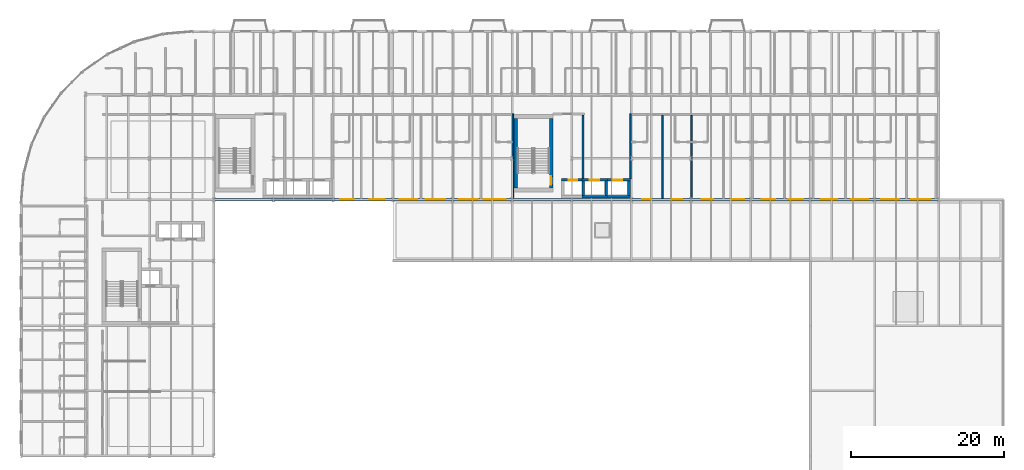
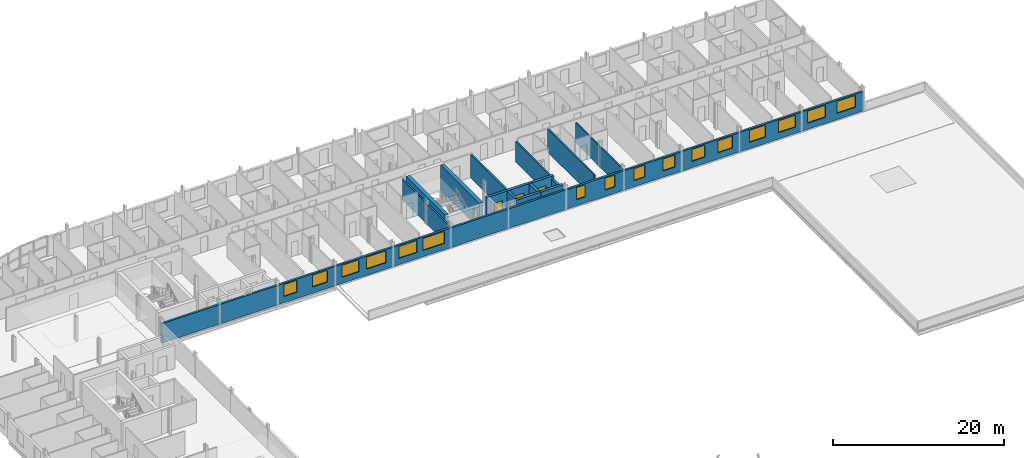
# One storey, part 25 of 36: 16 walls, 16 windows, 4 doors, 20 openings.
"""IFC4 building model written with IfcOpenShell, lengths in metres."""

from ifc_helpers import new_model, si_unit, direction, frame, frame_2d, origin, place, context, subcontext, project, spatial, rectangle, extrude, material, layer, layer_set, type_object, element, fill, save


model = new_model("IFC4")

# Units and contexts
model_context = context("Model", 3, precision=1e-05, world=origin(), true_north=direction((0.0, 1.0)))
body_context = subcontext(model_context, "Body", "Model", "MODEL_VIEW")
ifc_project = project(units=[si_unit("LENGTHUNIT", "METRE"), si_unit("AREAUNIT", "SQUARE_METRE"), si_unit("VOLUMEUNIT", "CUBIC_METRE"), si_unit("PLANEANGLEUNIT", "RADIAN"), si_unit("MASSUNIT", "GRAM", prefix="KILO")], contexts=[model_context])

# Site, building, storey
site_placement = place(None, origin())
site = spatial("IfcSite", under=ifc_project, at=site_placement, CompositionType="ELEMENT")
building_placement = place(site_placement, origin())
building = spatial("IfcBuilding", under=site, at=building_placement, Name="Sefraquen Railside Congress Hotel", CompositionType="ELEMENT")
storey_placement = place(building_placement, frame((0.0, 0.0, 24.60009765625)))
storey = spatial("IfcBuildingStorey", under=building, at=storey_placement, Name="L05", CompositionType="ELEMENT", Elevation=24.60009765625)

# Wall, opening, door
ifc_material_1 = material(Name="Concrete C50/60", Category="concrete")
ifc_layer_1 = layer(ifc_material_1, 0.35009765625)
ifc_layer_set_1 = layer_set([ifc_layer_1], Name="Concrete C50/60")
wall_type_1 = type_object("IfcWallType", Name="TW-CW-350", PredefinedType="SHEAR", material=ifc_layer_set_1)
wall_1_placement = place(storey_placement, frame((70.639892578125, 98.594970703125, 0.0), z_axis=(0.0, 0.0, 1.0), x_axis=(1.0, 0.0, 0.0)))
wall_1 = element("IfcWall", 1, at=wall_1_placement, inside=storey, type_object=wall_type_1, Name="Lift FL-03 shaft wall N L05", PredefinedType="SHEAR", context=body_context, shape_type="SweptSolid", body=[
    extrude(rectangle(XDim=2.690185546875, YDim=0.35009765625, at=frame_2d((1.34521484375, 0.0))), origin(), (0.0, 0.0, 1.0), 3.33984375),
])
opening_1_placement = place(wall_1_placement, frame((0.969970703125, 0.0, 0.0)))
opening_1 = element("IfcOpeningElement", 2, at=opening_1_placement, cuts=wall_1, Name="Opening LD-01", PredefinedType="OPENING", context=body_context, shape_type="SweptSolid", body=[
    extrude(rectangle(XDim=1.10009765625, YDim=2.199951171875, at=frame_2d((0.550048828125, 1.10009765625))), frame((0.0, 0.18505859375, 0.0), z_axis=(0.0, -1.0, 0.0), x_axis=(1.0, 0.0, 0.0)), (0.0, 0.0, 1.0), 0.3701171875),
])
ifc_material_2 = material(Name="Brushed bronze stainless steel", Category="steel")
door_type_1 = type_object("IfcDoorType", Name="TD-LD-01", OperationType="NOTDEFINED", PredefinedType="DOOR", material=ifc_material_2)
door_1_placement = place(opening_1_placement, origin())
door_1 = element("IfcDoor", 3, at=door_1_placement, inside=storey, type_object=door_type_1, Name="Lift landing door FL-03 L05", OperationType="SLIDING_TO_LEFT", OverallHeight=2.199951171875, OverallWidth=1.10009765625, PredefinedType="DOOR", context=body_context, shape_type="SweptSolid", body=[
    extrude(rectangle(XDim=1.10009765625, YDim=2.199951171875, at=frame_2d((0.550048828125, 1.10009765625))), frame((0.0, 0.02490234375, 0.0), z_axis=(0.0, -1.0, 0.0), x_axis=(1.0, 0.0, 0.0)), (0.0, 0.0, 1.0), 0.050048828125),
])
fill(opening_1, door_1)

wall_2_placement = place(storey_placement, frame((73.330078125, 98.594970703125, 0.0), z_axis=(0.0, 0.0, 1.0), x_axis=(1.0, 0.0, 0.0)))
wall_2 = element("IfcWall", 4, at=wall_2_placement, inside=storey, type_object=wall_type_1, Name="Lift PL-05 shaft wall N L05", PredefinedType="SHEAR", context=body_context, shape_type="SweptSolid", body=[
    extrude(rectangle(XDim=3.33984375, YDim=0.35009765625, at=frame_2d((1.669921875, 0.0))), origin(), (0.0, 0.0, 1.0), 3.33984375),
])
opening_2_placement = place(wall_2_placement, frame((1.044921875, 0.0, 0.0)))
opening_2 = element("IfcOpeningElement", 5, at=opening_2_placement, cuts=wall_2, Name="Opening LD-02", PredefinedType="OPENING", context=body_context, shape_type="SweptSolid", body=[
    extrude(rectangle(XDim=1.25, YDim=2.25, at=frame_2d((0.625, 1.125))), frame((0.0, 0.18505859375, 0.0), z_axis=(0.0, -1.0, 0.0), x_axis=(1.0, 0.0, 0.0)), (0.0, 0.0, 1.0), 0.3701171875),
])
ifc_material_3 = material(Name="Brushed stainless steel", Category="steel")
door_type_2 = type_object("IfcDoorType", Name="TD-LD-02", OperationType="NOTDEFINED", PredefinedType="DOOR", material=ifc_material_3)
door_2_placement = place(opening_2_placement, origin())
door_2 = element("IfcDoor", 6, at=door_2_placement, inside=storey, type_object=door_type_2, Name="Lift landing door PL-05 L05", OperationType="SLIDING_TO_LEFT", OverallHeight=2.25, OverallWidth=1.25, PredefinedType="DOOR", context=body_context, shape_type="SweptSolid", body=[
    extrude(rectangle(XDim=1.25, YDim=2.25, at=frame_2d((0.625, 1.125))), frame((0.0, 0.02490234375, 0.0), z_axis=(0.0, -1.0, 0.0), x_axis=(1.0, 0.0, 0.0)), (0.0, 0.0, 1.0), 0.050048828125),
])
fill(opening_2, door_2)

# Walls
wall_3_placement = place(storey_placement, frame((73.330078125, 96.405029296875, 0.0), z_axis=(0.0, 0.0, 1.0), x_axis=(1.0, 0.0, 0.0)))
element("IfcWall", 7, at=wall_3_placement, inside=storey, type_object=wall_type_1, Name="Lift PL-05 shaft wall S L05", PredefinedType="SHEAR", context=body_context, shape_type="SweptSolid", body=[
    extrude(rectangle(XDim=3.33984375, YDim=0.35009765625, at=frame_2d((1.669921875, 0.0))), origin(), (0.0, 0.0, 1.0), 3.33984375),
])
for number, where, z_axis, x_axis, name in (
    (8, (73.5048828125, 96.580078125, 0.0), (0.0, 0.0, 1.0), (0.0, 1.0, 0.0), "Lift PL-05 shaft wall W L05"),
    (9, (76.4951171875, 96.580078125, 0.0), (0.0, 0.0, 1.0), (0.0, 1.0, 0.0), "Lift PL-05 shaft wall E L05"),
):
    element("IfcWall", number, at=place(storey_placement, frame(where, z_axis=z_axis, x_axis=x_axis)), inside=storey, type_object=wall_type_1, Name=name, PredefinedType="SHEAR", context=body_context, shape_type="SweptSolid", body=[
        extrude(rectangle(XDim=1.83984375, YDim=0.35009765625, at=frame_2d((0.919921875, 0.0))), origin(), (0.0, 0.0, 1.0), 3.33984375),
    ])

# Wall, opening, door
wall_4_placement = place(storey_placement, frame((76.669921875, 98.594970703125, 0.0), z_axis=(0.0, 0.0, 1.0), x_axis=(1.0, 0.0, 0.0)))
wall_4 = element("IfcWall", 10, at=wall_4_placement, inside=storey, type_object=wall_type_1, Name="Lift PL-06 shaft wall N L05", PredefinedType="SHEAR", context=body_context, shape_type="SweptSolid", body=[
    extrude(rectangle(XDim=2.989990234375, YDim=0.35009765625, at=frame_2d((1.4951171875, 0.0))), origin(), (0.0, 0.0, 1.0), 3.33984375),
])
opening_3_placement = place(wall_4_placement, frame((0.695068359375, 0.0, 0.0)))
opening_3 = element("IfcOpeningElement", 11, at=opening_3_placement, cuts=wall_4, Name="Opening LD-02", PredefinedType="OPENING", context=body_context, shape_type="SweptSolid", body=[
    extrude(rectangle(XDim=1.25, YDim=2.25, at=frame_2d((0.625, 1.125))), frame((0.0, 0.18505859375, 0.0), z_axis=(0.0, -1.0, 0.0), x_axis=(1.0, 0.0, 0.0)), (0.0, 0.0, 1.0), 0.3701171875),
])
door_3_placement = place(opening_3_placement, origin())
door_3 = element("IfcDoor", 12, at=door_3_placement, inside=storey, type_object=door_type_2, Name="Lift landing door PL-06 L05", OperationType="SLIDING_TO_LEFT", OverallHeight=2.25, OverallWidth=1.25, PredefinedType="DOOR", context=body_context, shape_type="SweptSolid", body=[
    extrude(rectangle(XDim=1.25, YDim=2.25, at=frame_2d((0.625, 1.125))), frame((0.0, 0.02490234375, 0.0), z_axis=(0.0, -1.0, 0.0), x_axis=(1.0, 0.0, 0.0)), (0.0, 0.0, 1.0), 0.050048828125),
])
fill(opening_3, door_3)

# Walls
wall_5_placement = place(storey_placement, frame((76.669921875, 96.405029296875, 0.0), z_axis=(0.0, 0.0, 1.0), x_axis=(1.0, 0.0, 0.0)))
element("IfcWall", 13, at=wall_5_placement, inside=storey, type_object=wall_type_1, Name="Lift PL-06 shaft wall S L05", PredefinedType="SHEAR", context=body_context, shape_type="SweptSolid", body=[
    extrude(rectangle(XDim=2.989990234375, YDim=0.35009765625, at=frame_2d((1.4951171875, 0.0))), origin(), (0.0, 0.0, 1.0), 3.33984375),
])
wall_6_placement = place(storey_placement, frame((79.485107421875, 96.580078125, 0.0), z_axis=(0.0, 0.0, 1.0), x_axis=(0.0, 1.0, 0.0)))
element("IfcWall", 14, at=wall_6_placement, inside=storey, type_object=wall_type_1, Name="Lift PL-06 shaft wall E L05", PredefinedType="SHEAR", context=body_context, shape_type="SweptSolid", body=[
    extrude(rectangle(XDim=1.83984375, YDim=0.35009765625, at=frame_2d((0.919921875, 0.0))), origin(), (0.0, 0.0, 1.0), 2.929931640625),
])
ifc_layer_2 = layer(ifc_material_1, 0.5)
ifc_layer_set_2 = layer_set([ifc_layer_2], Name="Concrete C50/60")
wall_type_2 = type_object("IfcWallType", Name="TW-CW-500", PredefinedType="SHEAR", material=ifc_layer_set_2)
wall_7_placement = place(storey_placement, frame((64.64990234375, 97.5, 0.0), z_axis=(0.0, 0.0, 1.0), x_axis=(0.0, 1.0, 0.0)))
element("IfcWall", 15, at=wall_7_placement, inside=storey, type_object=wall_type_2, Name="Core shear wall ST-H03 W L05", PredefinedType="SHEAR", context=body_context, shape_type="SweptSolid", body=[
    extrude(rectangle(XDim=9.112060546875, YDim=0.5, at=frame_2d((4.55615234375, 0.0))), origin(), (0.0, 0.0, 1.0), 3.599853515625),
])

# Wall, opening, door
wall_8_placement = place(storey_placement, frame((69.31005859375, 97.5, 0.0), z_axis=(0.0, 0.0, 1.0), x_axis=(0.0, 1.0, 0.0)))
wall_8 = element("IfcWall", 16, at=wall_8_placement, inside=storey, type_object=wall_type_2, Name="Core shear wall ST-H03 E L05", PredefinedType="SHEAR", context=body_context, shape_type="SweptSolid", body=[
    extrude(rectangle(XDim=9.112060546875, YDim=0.5, at=frame_2d((4.55615234375, 0.0))), origin(), (0.0, 0.0, 1.0), 3.599853515625),
])
opening_4_placement = place(wall_8_placement, frame((0.43994140625, 0.0, 0.0)))
opening_4 = element("IfcOpeningElement", 17, at=opening_4_placement, cuts=wall_8, Name="Opening FD-04", PredefinedType="OPENING", context=body_context, shape_type="SweptSolid", body=[
    extrude(rectangle(XDim=1.10009765625, YDim=2.199951171875, at=frame_2d((0.550048828125, 1.10009765625))), frame((0.0, 0.260009765625, 0.0), z_axis=(0.0, -1.0, 0.0), x_axis=(1.0, 0.0, 0.0)), (0.0, 0.0, 1.0), 0.52001953125),
])
ifc_material_4 = material(Name="Fire-rated steel", Category="steel")
door_type_3 = type_object("IfcDoorType", Name="TD-FD-04", OperationType="NOTDEFINED", PredefinedType="DOOR", material=ifc_material_4)
door_4_placement = place(opening_4_placement, origin())
door_4 = element("IfcDoor", 18, at=door_4_placement, inside=storey, type_object=door_type_3, Name="Pressurized stair ST-H03 fire door L05", OperationType="SINGLE_SWING_LEFT", OverallHeight=2.199951171875, OverallWidth=1.10009765625, PredefinedType="DOOR", context=body_context, shape_type="SweptSolid", body=[
    extrude(rectangle(XDim=1.10009765625, YDim=2.199951171875, at=frame_2d((0.550048828125, 1.10009765625))), frame((0.0, 0.02490234375, 0.0), z_axis=(0.0, -1.0, 0.0), x_axis=(1.0, 0.0, 0.0)), (0.0, 0.0, 1.0), 0.050048828125),
])
fill(opening_4, door_4)

# Wall, openings, windows
ifc_material_5 = material(Name="Ochre Rabat calcarenite limestone and Concrete C40/50 backing", Category="masonry")
ifc_layer_3 = layer(ifc_material_5, 0.280029296875)
ifc_layer_set_3 = layer_set([ifc_layer_3], Name="Ochre Rabat calcarenite limestone and Concrete C40/50 backing")
wall_type_3 = type_object("IfcWallType", Name="TW-EW-280", PredefinedType="STANDARD", material=ifc_layer_set_3)
wall_9_placement = place(storey_placement, frame((25.199951171875, 96.0, 0.0), z_axis=(0.0, 0.0, 1.0), x_axis=(1.0, 0.0, 0.0)))
wall_9 = element("IfcWall", 19, at=wall_9_placement, inside=storey, type_object=wall_type_3, Name="Hotel L05 south courtyard facade wall", PredefinedType="STANDARD", context=body_context, shape_type="SweptSolid", body=[
    extrude(rectangle(XDim=94.800048828125, YDim=0.280029296875, at=frame_2d((47.39990234375, 0.0))), origin(), (0.0, 0.0, 1.0), 2.77978515625),
])
opening_5_placement = place(wall_9_placement, frame((16.5390625, 0.0, 0.89990234375)))
opening_5 = element("IfcOpeningElement", 20, at=opening_5_placement, cuts=wall_9, Name="Opening WN-25", PredefinedType="OPENING", context=body_context, shape_type="SweptSolid", body=[
    extrude(rectangle(XDim=1.75, YDim=1.699951171875, at=frame_2d((0.875, 0.85009765625))), frame((0.0, 0.14990234375, 0.0), z_axis=(0.0, -1.0, 0.0), x_axis=(1.0, 0.0, 0.0)), (0.0, 0.0, 1.0), 0.300048828125),
])
opening_6_placement = place(wall_9_placement, frame((20.366943359375, 0.0, 0.89990234375)))
opening_6 = element("IfcOpeningElement", 21, at=opening_6_placement, cuts=wall_9, Name="Opening WN-26", PredefinedType="OPENING", context=body_context, shape_type="SweptSolid", body=[
    extrude(rectangle(XDim=2.0, YDim=1.699951171875, at=frame_2d((1.0, 0.85009765625))), frame((0.0, 0.14990234375, 0.0), z_axis=(0.0, -1.0, 0.0), x_axis=(1.0, 0.0, 0.0)), (0.0, 0.0, 1.0), 0.300048828125),
])
opening_7_placement = place(wall_9_placement, frame((24.325927734375, 0.0, 0.89990234375)))
opening_7 = element("IfcOpeningElement", 22, at=opening_7_placement, cuts=wall_9, Name="Opening WN-27", PredefinedType="OPENING", context=body_context, shape_type="SweptSolid", body=[
    extrude(rectangle(XDim=2.300048828125, YDim=1.699951171875, at=frame_2d((1.14990234375, 0.85009765625))), frame((0.0, 0.14990234375, 0.0), z_axis=(0.0, -1.0, 0.0), x_axis=(1.0, 0.0, 0.0)), (0.0, 0.0, 1.0), 0.300048828125),
])
opening_8_placement = place(wall_9_placement, frame((27.68408203125, 0.0, 0.89990234375)))
opening_8 = element("IfcOpeningElement", 23, at=opening_8_placement, cuts=wall_9, Name="Opening WN-28", PredefinedType="OPENING", context=body_context, shape_type="SweptSolid", body=[
    extrude(rectangle(XDim=2.60009765625, YDim=1.699951171875, at=frame_2d((1.300048828125, 0.85009765625))), frame((0.0, 0.14990234375, 0.0), z_axis=(0.0, -1.0, 0.0), x_axis=(1.0, 0.0, 0.0)), (0.0, 0.0, 1.0), 0.300048828125),
])
opening_9_placement = place(wall_9_placement, frame((32.0830078125, 0.0, 0.89990234375)))
opening_9 = element("IfcOpeningElement", 24, at=opening_9_placement, cuts=wall_9, Name="Opening WN-29", PredefinedType="OPENING", context=body_context, shape_type="SweptSolid", body=[
    extrude(rectangle(XDim=2.4189453125, YDim=1.699951171875, at=frame_2d((1.20947265625, 0.85009765625))), frame((0.0, 0.14990234375, 0.0), z_axis=(0.0, -1.0, 0.0), x_axis=(1.0, 0.0, 0.0)), (0.0, 0.0, 1.0), 0.300048828125),
])
opening_10_placement = place(wall_9_placement, frame((35.322021484375, 0.0, 0.89990234375)))
opening_10 = element("IfcOpeningElement", 25, at=opening_10_placement, cuts=wall_9, Name="Opening WN-30", PredefinedType="OPENING", context=body_context, shape_type="SweptSolid", body=[
    extrude(rectangle(XDim=2.867919921875, YDim=1.699951171875, at=frame_2d((1.43408203125, 0.85009765625))), frame((0.0, 0.14990234375, 0.0), z_axis=(0.0, -1.0, 0.0), x_axis=(1.0, 0.0, 0.0)), (0.0, 0.0, 1.0), 0.300048828125),
])
opening_11_placement = place(wall_9_placement, frame((56.014892578125, 0.0, 0.89990234375)))
opening_11 = element("IfcOpeningElement", 26, at=opening_11_placement, cuts=wall_9, Name="Opening WN-01", PredefinedType="OPENING", context=body_context, shape_type="SweptSolid", body=[
    extrude(rectangle(XDim=1.199951171875, YDim=1.699951171875, at=frame_2d((0.60009765625, 0.85009765625))), frame((0.0, 0.14990234375, 0.0), z_axis=(0.0, -1.0, 0.0), x_axis=(1.0, 0.0, 0.0)), (0.0, 0.0, 1.0), 0.300048828125),
])
opening_12_placement = place(wall_9_placement, frame((59.887939453125, 0.0, 0.89990234375)))
opening_12 = element("IfcOpeningElement", 27, at=opening_12_placement, cuts=wall_9, Name="Opening WN-02", PredefinedType="OPENING", context=body_context, shape_type="SweptSolid", body=[
    extrude(rectangle(XDim=1.35009765625, YDim=1.699951171875, at=frame_2d((0.675048828125, 0.85009765625))), frame((0.0, 0.14990234375, 0.0), z_axis=(0.0, -1.0, 0.0), x_axis=(1.0, 0.0, 0.0)), (0.0, 0.0, 1.0), 0.300048828125),
])
opening_13_placement = place(wall_9_placement, frame((63.799072265625, 0.0, 0.89990234375)))
opening_13 = element("IfcOpeningElement", 28, at=opening_13_placement, cuts=wall_9, Name="Opening WN-03", PredefinedType="OPENING", context=body_context, shape_type="SweptSolid", body=[
    extrude(rectangle(XDim=1.5, YDim=1.699951171875, at=frame_2d((0.75, 0.85009765625))), frame((0.0, 0.14990234375, 0.0), z_axis=(0.0, -1.0, 0.0), x_axis=(1.0, 0.0, 0.0)), (0.0, 0.0, 1.0), 0.300048828125),
])
opening_14_placement = place(wall_9_placement, frame((67.708984375, 0.0, 0.89990234375)))
opening_14 = element("IfcOpeningElement", 29, at=opening_14_placement, cuts=wall_9, Name="Opening WN-04", PredefinedType="OPENING", context=body_context, shape_type="SweptSolid", body=[
    extrude(rectangle(XDim=1.64990234375, YDim=1.699951171875, at=frame_2d((0.824951171875, 0.85009765625))), frame((0.0, 0.14990234375, 0.0), z_axis=(0.0, -1.0, 0.0), x_axis=(1.0, 0.0, 0.0)), (0.0, 0.0, 1.0), 0.300048828125),
])
opening_15_placement = place(wall_9_placement, frame((71.617919921875, 0.0, 0.89990234375)))
opening_15 = element("IfcOpeningElement", 30, at=opening_15_placement, cuts=wall_9, Name="Opening WN-05", PredefinedType="OPENING", context=body_context, shape_type="SweptSolid", body=[
    extrude(rectangle(XDim=1.800048828125, YDim=1.699951171875, at=frame_2d((0.89990234375, 0.85009765625))), frame((0.0, 0.14990234375, 0.0), z_axis=(0.0, -1.0, 0.0), x_axis=(1.0, 0.0, 0.0)), (0.0, 0.0, 1.0), 0.300048828125),
])
opening_16_placement = place(wall_9_placement, frame((75.12890625, 0.0, 0.89990234375)))
opening_16 = element("IfcOpeningElement", 31, at=opening_16_placement, cuts=wall_9, Name="Opening WN-06", PredefinedType="OPENING", context=body_context, shape_type="SweptSolid", body=[
    extrude(rectangle(XDim=1.949951171875, YDim=1.699951171875, at=frame_2d((0.97509765625, 0.85009765625))), frame((0.0, 0.14990234375, 0.0), z_axis=(0.0, -1.0, 0.0), x_axis=(1.0, 0.0, 0.0)), (0.0, 0.0, 1.0), 0.300048828125),
])
opening_17_placement = place(wall_9_placement, frame((79.43896484375, 0.0, 0.89990234375)))
opening_17 = element("IfcOpeningElement", 32, at=opening_17_placement, cuts=wall_9, Name="Opening WN-07", PredefinedType="OPENING", context=body_context, shape_type="SweptSolid", body=[
    extrude(rectangle(XDim=2.10009765625, YDim=1.699951171875, at=frame_2d((1.050048828125, 0.85009765625))), frame((0.0, 0.14990234375, 0.0), z_axis=(0.0, -1.0, 0.0), x_axis=(1.0, 0.0, 0.0)), (0.0, 0.0, 1.0), 0.300048828125),
])
opening_18_placement = place(wall_9_placement, frame((83.34912109375, 0.0, 0.89990234375)))
opening_18 = element("IfcOpeningElement", 33, at=opening_18_placement, cuts=wall_9, Name="Opening WN-08", PredefinedType="OPENING", context=body_context, shape_type="SweptSolid", body=[
    extrude(rectangle(XDim=2.25, YDim=1.699951171875, at=frame_2d((1.125, 0.85009765625))), frame((0.0, 0.14990234375, 0.0), z_axis=(0.0, -1.0, 0.0), x_axis=(1.0, 0.0, 0.0)), (0.0, 0.0, 1.0), 0.300048828125),
])
opening_19_placement = place(wall_9_placement, frame((87.258056640625, 0.0, 0.89990234375)))
opening_19 = element("IfcOpeningElement", 34, at=opening_19_placement, cuts=wall_9, Name="Opening WN-09", PredefinedType="OPENING", context=body_context, shape_type="SweptSolid", body=[
    extrude(rectangle(XDim=2.39990234375, YDim=1.699951171875, at=frame_2d((1.199951171875, 0.85009765625))), frame((0.0, 0.14990234375, 0.0), z_axis=(0.0, -1.0, 0.0), x_axis=(1.0, 0.0, 0.0)), (0.0, 0.0, 1.0), 0.300048828125),
])
opening_20_placement = place(wall_9_placement, frame((91.2041015625, 0.0, 0.89990234375)))
opening_20 = element("IfcOpeningElement", 35, at=opening_20_placement, cuts=wall_9, Name="Opening WN-10", PredefinedType="OPENING", context=body_context, shape_type="SweptSolid", body=[
    extrude(rectangle(XDim=2.550048828125, YDim=1.699951171875, at=frame_2d((1.27490234375, 0.85009765625))), frame((0.0, 0.14990234375, 0.0), z_axis=(0.0, -1.0, 0.0), x_axis=(1.0, 0.0, 0.0)), (0.0, 0.0, 1.0), 0.300048828125),
])
ifc_material_6 = material(Name="Solar-control low-E double glazing in bronze-anodised frame", Category="glass")
window_type_1 = type_object("IfcWindowType", Name="TWN-W-01", PartitioningType="DOUBLE_PANEL_VERTICAL", PredefinedType="WINDOW", material=ifc_material_6)
window_1_placement = place(opening_11_placement, origin())
window_1 = element("IfcWindow", 36, at=window_1_placement, inside=storey, type_object=window_type_1, Name="Guest room courtyard window SP-L05-RM-030", OverallHeight=1.699951171875, OverallWidth=1.199951171875, PartitioningType="DOUBLE_PANEL_VERTICAL", PredefinedType="WINDOW", context=body_context, shape_type="SweptSolid", body=[
    extrude(rectangle(XDim=1.199951171875, YDim=1.699951171875, at=frame_2d((0.60009765625, 0.85009765625))), frame((0.0, 0.030029296875, 0.0), z_axis=(0.0, -1.0, 0.0), x_axis=(1.0, 0.0, 0.0)), (0.0, 0.0, 1.0), 0.06005859375),
])
fill(opening_11, window_1)
window_type_2 = type_object("IfcWindowType", Name="TWN-W-02", PartitioningType="DOUBLE_PANEL_VERTICAL", PredefinedType="WINDOW", material=ifc_material_6)
window_2_placement = place(opening_12_placement, origin())
window_2 = element("IfcWindow", 37, at=window_2_placement, inside=storey, type_object=window_type_2, Name="Guest room courtyard window SP-L05-RM-031", OverallHeight=1.699951171875, OverallWidth=1.35009765625, PartitioningType="DOUBLE_PANEL_VERTICAL", PredefinedType="WINDOW", context=body_context, shape_type="SweptSolid", body=[
    extrude(rectangle(XDim=1.35009765625, YDim=1.699951171875, at=frame_2d((0.675048828125, 0.85009765625))), frame((0.0, 0.030029296875, 0.0), z_axis=(0.0, -1.0, 0.0), x_axis=(1.0, 0.0, 0.0)), (0.0, 0.0, 1.0), 0.06005859375),
])
fill(opening_12, window_2)
window_type_3 = type_object("IfcWindowType", Name="TWN-W-03", PartitioningType="DOUBLE_PANEL_VERTICAL", PredefinedType="WINDOW", material=ifc_material_6)
window_3_placement = place(opening_13_placement, origin())
window_3 = element("IfcWindow", 38, at=window_3_placement, inside=storey, type_object=window_type_3, Name="Guest room courtyard window SP-L05-RM-032", OverallHeight=1.699951171875, OverallWidth=1.5, PartitioningType="DOUBLE_PANEL_VERTICAL", PredefinedType="WINDOW", context=body_context, shape_type="SweptSolid", body=[
    extrude(rectangle(XDim=1.5, YDim=1.699951171875, at=frame_2d((0.75, 0.85009765625))), frame((0.0, 0.030029296875, 0.0), z_axis=(0.0, -1.0, 0.0), x_axis=(1.0, 0.0, 0.0)), (0.0, 0.0, 1.0), 0.06005859375),
])
fill(opening_13, window_3)
window_type_4 = type_object("IfcWindowType", Name="TWN-W-04", PartitioningType="DOUBLE_PANEL_VERTICAL", PredefinedType="WINDOW", material=ifc_material_6)
window_4_placement = place(opening_14_placement, origin())
window_4 = element("IfcWindow", 39, at=window_4_placement, inside=storey, type_object=window_type_4, Name="Guest room courtyard window SP-L05-RM-033", OverallHeight=1.699951171875, OverallWidth=1.64990234375, PartitioningType="DOUBLE_PANEL_VERTICAL", PredefinedType="WINDOW", context=body_context, shape_type="SweptSolid", body=[
    extrude(rectangle(XDim=1.64990234375, YDim=1.699951171875, at=frame_2d((0.824951171875, 0.85009765625))), frame((0.0, 0.030029296875, 0.0), z_axis=(0.0, -1.0, 0.0), x_axis=(1.0, 0.0, 0.0)), (0.0, 0.0, 1.0), 0.06005859375),
])
fill(opening_14, window_4)
window_type_5 = type_object("IfcWindowType", Name="TWN-W-05", PartitioningType="DOUBLE_PANEL_VERTICAL", PredefinedType="WINDOW", material=ifc_material_6)
window_5_placement = place(opening_15_placement, origin())
window_5 = element("IfcWindow", 40, at=window_5_placement, inside=storey, type_object=window_type_5, Name="Guest room courtyard window SP-L05-RM-034", OverallHeight=1.699951171875, OverallWidth=1.800048828125, PartitioningType="DOUBLE_PANEL_VERTICAL", PredefinedType="WINDOW", context=body_context, shape_type="SweptSolid", body=[
    extrude(rectangle(XDim=1.800048828125, YDim=1.699951171875, at=frame_2d((0.89990234375, 0.85009765625))), frame((0.0, 0.030029296875, 0.0), z_axis=(0.0, -1.0, 0.0), x_axis=(1.0, 0.0, 0.0)), (0.0, 0.0, 1.0), 0.06005859375),
])
fill(opening_15, window_5)
window_type_6 = type_object("IfcWindowType", Name="TWN-W-06", PartitioningType="DOUBLE_PANEL_VERTICAL", PredefinedType="WINDOW", material=ifc_material_6)
window_6_placement = place(opening_16_placement, origin())
window_6 = element("IfcWindow", 41, at=window_6_placement, inside=storey, type_object=window_type_6, Name="Guest room courtyard window SP-L05-RM-035", OverallHeight=1.699951171875, OverallWidth=1.949951171875, PartitioningType="DOUBLE_PANEL_VERTICAL", PredefinedType="WINDOW", context=body_context, shape_type="SweptSolid", body=[
    extrude(rectangle(XDim=1.949951171875, YDim=1.699951171875, at=frame_2d((0.97509765625, 0.85009765625))), frame((0.0, 0.030029296875, 0.0), z_axis=(0.0, -1.0, 0.0), x_axis=(1.0, 0.0, 0.0)), (0.0, 0.0, 1.0), 0.06005859375),
])
fill(opening_16, window_6)
window_type_7 = type_object("IfcWindowType", Name="TWN-W-07", PartitioningType="DOUBLE_PANEL_VERTICAL", PredefinedType="WINDOW", material=ifc_material_6)
window_7_placement = place(opening_17_placement, origin())
window_7 = element("IfcWindow", 42, at=window_7_placement, inside=storey, type_object=window_type_7, Name="Guest room courtyard window SP-L05-RM-036", OverallHeight=1.699951171875, OverallWidth=2.10009765625, PartitioningType="DOUBLE_PANEL_VERTICAL", PredefinedType="WINDOW", context=body_context, shape_type="SweptSolid", body=[
    extrude(rectangle(XDim=2.10009765625, YDim=1.699951171875, at=frame_2d((1.050048828125, 0.85009765625))), frame((0.0, 0.030029296875, 0.0), z_axis=(0.0, -1.0, 0.0), x_axis=(1.0, 0.0, 0.0)), (0.0, 0.0, 1.0), 0.06005859375),
])
fill(opening_17, window_7)
window_type_8 = type_object("IfcWindowType", Name="TWN-W-08", PartitioningType="DOUBLE_PANEL_VERTICAL", PredefinedType="WINDOW", material=ifc_material_6)
window_8_placement = place(opening_18_placement, origin())
window_8 = element("IfcWindow", 43, at=window_8_placement, inside=storey, type_object=window_type_8, Name="Guest room courtyard window SP-L05-RM-037", OverallHeight=1.699951171875, OverallWidth=2.25, PartitioningType="DOUBLE_PANEL_VERTICAL", PredefinedType="WINDOW", context=body_context, shape_type="SweptSolid", body=[
    extrude(rectangle(XDim=2.25, YDim=1.699951171875, at=frame_2d((1.125, 0.85009765625))), frame((0.0, 0.030029296875, 0.0), z_axis=(0.0, -1.0, 0.0), x_axis=(1.0, 0.0, 0.0)), (0.0, 0.0, 1.0), 0.06005859375),
])
fill(opening_18, window_8)
window_type_9 = type_object("IfcWindowType", Name="TWN-W-09", PartitioningType="DOUBLE_PANEL_VERTICAL", PredefinedType="WINDOW", material=ifc_material_6)
window_9_placement = place(opening_19_placement, origin())
window_9 = element("IfcWindow", 44, at=window_9_placement, inside=storey, type_object=window_type_9, Name="Guest room courtyard window SP-L05-RM-038", OverallHeight=1.699951171875, OverallWidth=2.39990234375, PartitioningType="DOUBLE_PANEL_VERTICAL", PredefinedType="WINDOW", context=body_context, shape_type="SweptSolid", body=[
    extrude(rectangle(XDim=2.39990234375, YDim=1.699951171875, at=frame_2d((1.199951171875, 0.85009765625))), frame((0.0, 0.030029296875, 0.0), z_axis=(0.0, -1.0, 0.0), x_axis=(1.0, 0.0, 0.0)), (0.0, 0.0, 1.0), 0.06005859375),
])
fill(opening_19, window_9)
window_type_10 = type_object("IfcWindowType", Name="TWN-W-10", PartitioningType="DOUBLE_PANEL_VERTICAL", PredefinedType="WINDOW", material=ifc_material_6)
window_10_placement = place(opening_20_placement, origin())
window_10 = element("IfcWindow", 45, at=window_10_placement, inside=storey, type_object=window_type_10, Name="Guest room courtyard window SP-L05-RM-039", OverallHeight=1.699951171875, OverallWidth=2.550048828125, PartitioningType="DOUBLE_PANEL_VERTICAL", PredefinedType="WINDOW", context=body_context, shape_type="SweptSolid", body=[
    extrude(rectangle(XDim=2.550048828125, YDim=1.699951171875, at=frame_2d((1.27490234375, 0.85009765625))), frame((0.0, 0.030029296875, 0.0), z_axis=(0.0, -1.0, 0.0), x_axis=(1.0, 0.0, 0.0)), (0.0, 0.0, 1.0), 0.06005859375),
])
fill(opening_20, window_10)
window_type_11 = type_object("IfcWindowType", Name="TWN-W-25", PartitioningType="DOUBLE_PANEL_VERTICAL", PredefinedType="WINDOW", material=ifc_material_6)
window_11_placement = place(opening_5_placement, origin())
window_11 = element("IfcWindow", 46, at=window_11_placement, inside=storey, type_object=window_type_11, Name="Guest room courtyard window SP-L05-RM-024", OverallHeight=1.699951171875, OverallWidth=1.75, PartitioningType="DOUBLE_PANEL_VERTICAL", PredefinedType="WINDOW", context=body_context, shape_type="SweptSolid", body=[
    extrude(rectangle(XDim=1.75, YDim=1.699951171875, at=frame_2d((0.875, 0.85009765625))), frame((0.0, 0.030029296875, 0.0), z_axis=(0.0, -1.0, 0.0), x_axis=(1.0, 0.0, 0.0)), (0.0, 0.0, 1.0), 0.06005859375),
])
fill(opening_5, window_11)
window_type_12 = type_object("IfcWindowType", Name="TWN-W-26", PartitioningType="DOUBLE_PANEL_VERTICAL", PredefinedType="WINDOW", material=ifc_material_6)
window_12_placement = place(opening_6_placement, origin())
window_12 = element("IfcWindow", 47, at=window_12_placement, inside=storey, type_object=window_type_12, Name="Guest room courtyard window SP-L05-RM-025", OverallHeight=1.699951171875, OverallWidth=2.0, PartitioningType="DOUBLE_PANEL_VERTICAL", PredefinedType="WINDOW", context=body_context, shape_type="SweptSolid", body=[
    extrude(rectangle(XDim=2.0, YDim=1.699951171875, at=frame_2d((1.0, 0.85009765625))), frame((0.0, 0.030029296875, 0.0), z_axis=(0.0, -1.0, 0.0), x_axis=(1.0, 0.0, 0.0)), (0.0, 0.0, 1.0), 0.06005859375),
])
fill(opening_6, window_12)
window_type_13 = type_object("IfcWindowType", Name="TWN-W-27", PartitioningType="DOUBLE_PANEL_VERTICAL", PredefinedType="WINDOW", material=ifc_material_6)
window_13_placement = place(opening_7_placement, origin())
window_13 = element("IfcWindow", 48, at=window_13_placement, inside=storey, type_object=window_type_13, Name="Guest room courtyard window SP-L05-RM-026", OverallHeight=1.699951171875, OverallWidth=2.300048828125, PartitioningType="DOUBLE_PANEL_VERTICAL", PredefinedType="WINDOW", context=body_context, shape_type="SweptSolid", body=[
    extrude(rectangle(XDim=2.300048828125, YDim=1.699951171875, at=frame_2d((1.14990234375, 0.85009765625))), frame((0.0, 0.030029296875, 0.0), z_axis=(0.0, -1.0, 0.0), x_axis=(1.0, 0.0, 0.0)), (0.0, 0.0, 1.0), 0.06005859375),
])
fill(opening_7, window_13)
window_type_14 = type_object("IfcWindowType", Name="TWN-W-28", PartitioningType="DOUBLE_PANEL_VERTICAL", PredefinedType="WINDOW", material=ifc_material_6)
window_14_placement = place(opening_8_placement, origin())
window_14 = element("IfcWindow", 49, at=window_14_placement, inside=storey, type_object=window_type_14, Name="Guest room courtyard window SP-L05-RM-027", OverallHeight=1.699951171875, OverallWidth=2.60009765625, PartitioningType="DOUBLE_PANEL_VERTICAL", PredefinedType="WINDOW", context=body_context, shape_type="SweptSolid", body=[
    extrude(rectangle(XDim=2.60009765625, YDim=1.699951171875, at=frame_2d((1.300048828125, 0.85009765625))), frame((0.0, 0.030029296875, 0.0), z_axis=(0.0, -1.0, 0.0), x_axis=(1.0, 0.0, 0.0)), (0.0, 0.0, 1.0), 0.06005859375),
])
fill(opening_8, window_14)
window_type_15 = type_object("IfcWindowType", Name="TWN-W-29", PartitioningType="DOUBLE_PANEL_VERTICAL", PredefinedType="WINDOW", material=ifc_material_6)
window_15_placement = place(opening_9_placement, origin())
window_15 = element("IfcWindow", 50, at=window_15_placement, inside=storey, type_object=window_type_15, Name="Guest room courtyard window SP-L05-RM-028", OverallHeight=1.699951171875, OverallWidth=2.4189453125, PartitioningType="DOUBLE_PANEL_VERTICAL", PredefinedType="WINDOW", context=body_context, shape_type="SweptSolid", body=[
    extrude(rectangle(XDim=2.4189453125, YDim=1.699951171875, at=frame_2d((1.20947265625, 0.85009765625))), frame((0.0, 0.030029296875, 0.0), z_axis=(0.0, -1.0, 0.0), x_axis=(1.0, 0.0, 0.0)), (0.0, 0.0, 1.0), 0.06005859375),
])
fill(opening_9, window_15)
window_type_16 = type_object("IfcWindowType", Name="TWN-W-30", PartitioningType="DOUBLE_PANEL_VERTICAL", PredefinedType="WINDOW", material=ifc_material_6)
window_16_placement = place(opening_10_placement, origin())
window_16 = element("IfcWindow", 51, at=window_16_placement, inside=storey, type_object=window_type_16, Name="Guest room courtyard window SP-L05-RM-029", OverallHeight=1.699951171875, OverallWidth=2.867919921875, PartitioningType="DOUBLE_PANEL_VERTICAL", PredefinedType="WINDOW", context=body_context, shape_type="SweptSolid", body=[
    extrude(rectangle(XDim=2.867919921875, YDim=1.699951171875, at=frame_2d((1.43408203125, 0.85009765625))), frame((0.0, 0.030029296875, 0.0), z_axis=(0.0, -1.0, 0.0), x_axis=(1.0, 0.0, 0.0)), (0.0, 0.0, 1.0), 0.06005859375),
])
fill(opening_10, window_16)

# Walls
ifc_material_7 = material(Name="Concrete C40/50", Category="concrete")
ifc_layer_4 = layer(ifc_material_7, 0.239990234375)
ifc_layer_set_4 = layer_set([ifc_layer_4], Name="Concrete C40/50")
wall_type_4 = type_object("IfcWallType", Name="TW-FW-240", PredefinedType="STANDARD", material=ifc_layer_set_4)
wall_10_placement = place(storey_placement, frame((73.47998046875, 98.780029296875, 0.0), z_axis=(0.0, 0.0, 1.0), x_axis=(0.0, 1.0, 0.0)))
element("IfcWall", 52, at=wall_10_placement, inside=storey, type_object=wall_type_4, Name="Firefighting Lift Lobby FFL-03 east fire wall L05", PredefinedType="STANDARD", context=body_context, shape_type="SweptSolid", body=[
    extrude(rectangle(XDim=8.239990234375, YDim=0.239990234375, at=frame_2d((4.1201171875, 0.0))), origin(), (0.0, 0.0, 1.0), 3.33984375),
])
ifc_material_8 = material(Name="Acoustic gypsum board on metal stud", Category="gypsum")
ifc_layer_5 = layer(ifc_material_8, 0.179931640625)
ifc_layer_set_5 = layer_set([ifc_layer_5], Name="Acoustic gypsum board on metal stud")
wall_type_5 = type_object("IfcWallType", Name="TW-PW-180", PredefinedType="PARTITIONING", material=ifc_layer_set_5)
wall_11_placement = place(storey_placement, frame((83.87890625, 96.139892578125, 0.0), z_axis=(0.0, 0.0, 1.0), x_axis=(0.0, 1.0, 0.0)))
element("IfcWall", 53, at=wall_11_placement, inside=storey, type_object=wall_type_5, Name="South guest room demising wall RM-030", PredefinedType="PARTITIONING", context=body_context, shape_type="SweptSolid", body=[
    extrude(rectangle(XDim=10.880126953125, YDim=0.179931640625, at=frame_2d((5.43994140625, 0.0))), origin(), (0.0, 0.0, 1.0), 3.33984375),
])
wall_12_placement = place(storey_placement, frame((87.64794921875, 96.139892578125, 0.0), z_axis=(0.0, 0.0, 1.0), x_axis=(0.0, 1.0, 0.0)))
element("IfcWall", 54, at=wall_12_placement, inside=storey, type_object=wall_type_5, Name="South guest room demising wall RM-031", PredefinedType="PARTITIONING", context=body_context, shape_type="SweptSolid", body=[
    extrude(rectangle(XDim=10.880126953125, YDim=0.179931640625, at=frame_2d((5.43994140625, 0.0))), origin(), (0.0, 0.0, 1.0), 2.929931640625),
])
ifc_layer_6 = layer(ifc_material_8, 0.199951171875)
ifc_layer_set_6 = layer_set([ifc_layer_6], Name="Acoustic gypsum board on metal stud")
wall_type_6 = type_object("IfcWallType", Name="TW-PW-200", PredefinedType="PARTITIONING", material=ifc_layer_set_6)
wall_13_placement = place(storey_placement, frame((64.300048828125, 96.139892578125, 0.0), z_axis=(0.0, 0.0, 1.0), x_axis=(0.0, 1.0, 0.0)))
element("IfcWall", 55, at=wall_13_placement, inside=storey, type_object=wall_type_6, Name="Hotel L05 south-mid east end fire-rated partition", PredefinedType="PARTITIONING", context=body_context, shape_type="SweptSolid", body=[
    extrude(rectangle(XDim=11.080078125, YDim=0.199951171875, at=frame_2d((5.5400390625, 0.0))), origin(), (0.0, 0.0, 1.0), 2.929931640625),
])
wall_14_placement = place(storey_placement, frame((79.659912109375, 98.77001953125, 0.0), z_axis=(0.0, 0.0, 1.0), x_axis=(0.0, 1.0, 0.0)))
element("IfcWall", 56, at=wall_14_placement, inside=storey, type_object=wall_type_6, Name="Hotel L05 south-east west end fire-rated partition", PredefinedType="PARTITIONING", context=body_context, shape_type="SweptSolid", body=[
    extrude(rectangle(XDim=8.449951171875, YDim=0.199951171875, at=frame_2d((4.22509765625, 0.0))), origin(), (0.0, 0.0, 1.0), 2.929931640625),
])

save(model, "model.ifc")
